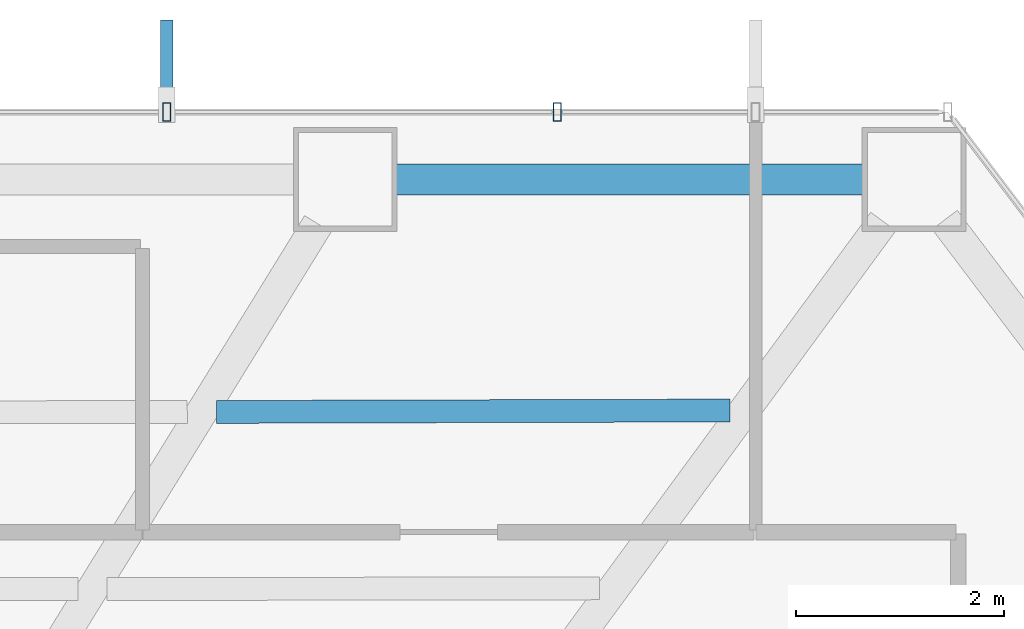
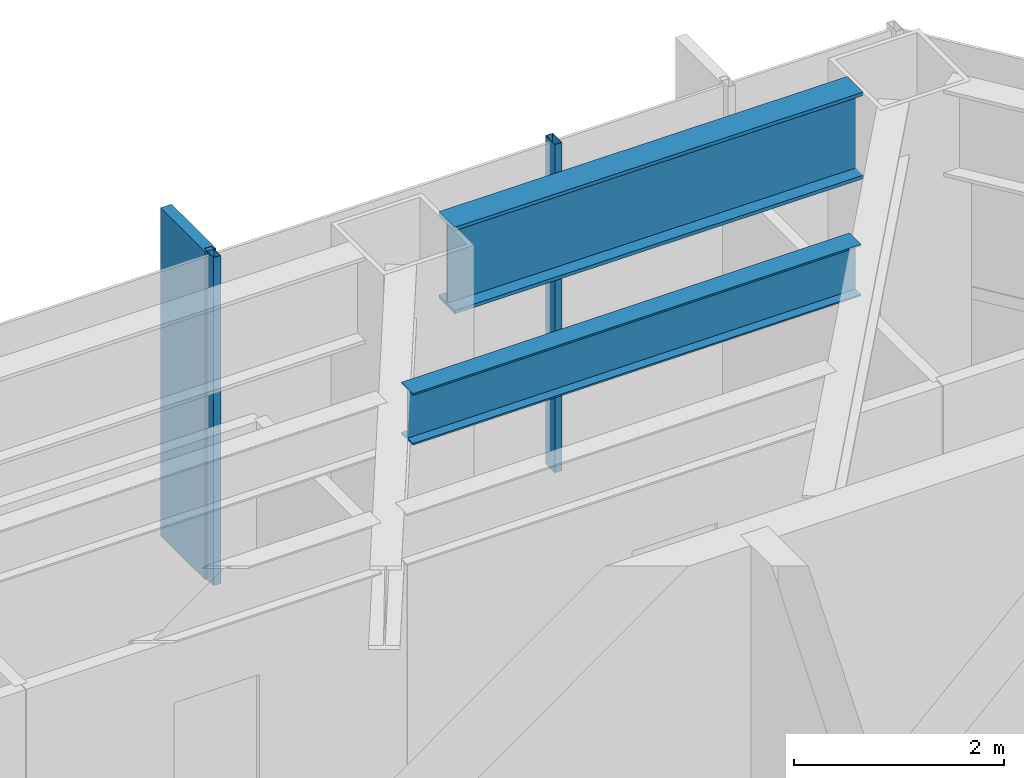
# One storey, part 15 of 25: 3 members, 2 beams, 1 element without a shape of its own.
"""IFC4 building model written with IfcOpenShell, lengths in metres."""

import ifcopenshell
import ifcopenshell.guid

model = None  # the IFC model being written
_history = None  # IfcOwnerHistory: only IFC2X3 demands one
_inside = {}  # id of a spatial element -> (the spatial element, [elements in it])
_under = {}  # id of a project, library or spatial element -> (it, [spatial elements below it])
_declared = {}  # id of a project -> (the project, [libraries it declares])
_typed = {}  # id of a type object -> (the type object, [elements of that type])
_made_of = {}  # id of a material, layer set ... -> (it, [elements and type objects made of it])


def new_model(schema):
    """Start an empty IFC model of exactly this schema.

    Asked for "IFC4X3", IfcOpenShell would pick the latest addendum, in which some entities
    have other attributes; the version numbers below select the first issue.
    IFC2X3 requires an IfcOwnerHistory on every rooted entity: one is made here for all.
    """
    global model, _history
    if schema == "IFC4X3":
        model = ifcopenshell.file(schema_version=(4, 3, 0, 0))
    else:
        model = ifcopenshell.file(schema=schema)
    _inside.clear()
    _under.clear()
    _declared.clear()
    _typed.clear()
    _made_of.clear()
    _history = None
    if model.schema == "IFC2X3":
        org = make("IfcOrganization", Name="unknown")
        user = make(
            "IfcPersonAndOrganization",
            ThePerson=make("IfcPerson", FamilyName="unknown"),
            TheOrganization=org,
        )
        app = make(
            "IfcApplication",
            ApplicationDeveloper=org,
            Version="unknown",
            ApplicationFullName="unknown",
            ApplicationIdentifier="unknown",
        )
        _history = make(
            "IfcOwnerHistory",
            OwningUser=user,
            OwningApplication=app,
            ChangeAction="ADDED",
            CreationDate=0,
        )
    return model


def make(cls, **values):
    """One entity of the class cls with the attributes given. An attribute that is None is left unset."""
    return model.create_entity(
        cls, **{name: value for name, value in values.items() if value is not None}
    )


def rooted(cls, **values):
    """An entity with a GlobalId (a new one), such as an element, a storey or a relation."""
    return make(cls, GlobalId=ifcopenshell.guid.new(), OwnerHistory=_history, **values)


def si_unit(unit_type, name, prefix=None):
    """IfcSIUnit, for example si_unit("LENGTHUNIT", "METRE", prefix="MILLI")."""
    return make("IfcSIUnit", UnitType=unit_type, Prefix=prefix, Name=name)


def assignment(units):
    """IfcUnitAssignment: the units of a project."""
    return None if units is None else make("IfcUnitAssignment", Units=units)


def point(xyz):
    """IfcCartesianPoint."""
    return None if xyz is None else make("IfcCartesianPoint", Coordinates=xyz)


def direction(xyz):
    """IfcDirection."""
    return None if xyz is None else make("IfcDirection", DirectionRatios=xyz)


def frame(location, z_axis=None, x_axis=None):
    """IfcAxis2Placement3D, a coordinate frame: its origin and axes. An axis left out is left unset."""
    return make(
        "IfcAxis2Placement3D",
        Location=point(location),
        Axis=direction(z_axis),
        RefDirection=direction(x_axis),
    )


def frame_2d(location, x_axis=None):
    """IfcAxis2Placement2D, a coordinate frame in the plane: its origin and x axis."""
    return make(
        "IfcAxis2Placement2D", Location=point(location), RefDirection=direction(x_axis)
    )


def origin():
    """The frame at (0, 0, 0) with its axes left unset."""
    return frame((0.0, 0.0, 0.0))


def origin_2d():
    """The frame at (0, 0) in the plane with its x axis left unset."""
    return frame_2d((0.0, 0.0))


def place(relative_to, where):
    """IfcLocalPlacement: puts the frame where relative to a parent placement (None: the world)."""
    return make(
        "IfcLocalPlacement", PlacementRelTo=relative_to, RelativePlacement=where
    )


def context(
    kind, dimensions, precision=None, world=None, true_north=None, identifier=None
):
    """IfcGeometricRepresentationContext, for example the 3D "Model" context."""
    return make(
        "IfcGeometricRepresentationContext",
        ContextIdentifier=identifier,
        ContextType=kind,
        CoordinateSpaceDimension=dimensions,
        Precision=precision,
        WorldCoordinateSystem=world,
        TrueNorth=true_north,
    )


def subcontext(parent, identifier, kind, view, scale=None):
    """IfcGeometricRepresentationSubContext, for example "Body" below "Model"."""
    return make(
        "IfcGeometricRepresentationSubContext",
        ContextIdentifier=identifier,
        ContextType=kind,
        ParentContext=parent,
        TargetScale=scale,
        TargetView=view,
    )


def project(units=None, contexts=None):
    """IfcProject with its units and contexts."""
    return rooted(
        "IfcProject",
        Name="project",
        RepresentationContexts=contexts,
        UnitsInContext=assignment(units),
    )


def spatial(cls, under=None, at=None, **own):
    """A site, building, storey or space (cls), placed at a placement, below another one or the project."""
    s = rooted(cls, ObjectPlacement=at, **own)
    if under is not None:
        _under.setdefault(under.id(), (under, []))[1].append(s)
    return s


def profile(cls, at=None, kind="AREA", **sizes):
    """A parametric profile (cls). Its sizes go by their IFC names, for example OverallWidth=200.0."""
    return make(cls, ProfileType=kind, Position=at, **sizes)


def rectangle(**sizes):
    """IfcRectangleProfileDef."""
    return profile("IfcRectangleProfileDef", **sizes)


def hollow_rectangle(**sizes):
    """IfcRectangleHollowProfileDef."""
    return profile("IfcRectangleHollowProfileDef", **sizes)


def i_section(**sizes):
    """IfcIShapeProfileDef."""
    return profile("IfcIShapeProfileDef", **sizes)


def extrude(swept, where, along, depth):
    """IfcExtrudedAreaSolid: the profile swept, set in the frame where, extruded along a direction by depth."""
    return make(
        "IfcExtrudedAreaSolid",
        SweptArea=swept,
        Position=where,
        ExtrudedDirection=direction(along),
        Depth=depth,
    )


def shape(context_of_items, identifier, shape_type, items):
    """IfcShapeRepresentation: the items that make up one representation, for example the "Body"."""
    return make(
        "IfcShapeRepresentation",
        ContextOfItems=context_of_items,
        RepresentationIdentifier=identifier,
        RepresentationType=shape_type,
        Items=items,
    )


def material(Name=None, Category=None):
    """IfcMaterial."""
    return make("IfcMaterial", Name=Name, Category=Category)


def layer(
    of_material, thickness, ventilated=None, Name=None, Category=None, Priority=None
):
    """IfcMaterialLayer: one layer of a wall or slab, of a material (None: an air gap)."""
    return make(
        "IfcMaterialLayer",
        Material=of_material,
        LayerThickness=thickness,
        IsVentilated=ventilated,
        Name=Name,
        Category=Category,
        Priority=Priority,
    )


def layer_set(layers, Name=None):
    """IfcMaterialLayerSet."""
    return make("IfcMaterialLayerSet", MaterialLayers=layers, LayerSetName=Name)


def material_profile(
    of_material, cross_section, Name=None, Category=None, Priority=None
):
    """IfcMaterialProfile: a cross section and its material."""
    return make(
        "IfcMaterialProfile",
        Name=Name,
        Material=of_material,
        Profile=cross_section,
        Priority=Priority,
        Category=Category,
    )


def profile_set(profiles, Name=None, composite=None):
    """IfcMaterialProfileSet."""
    return make(
        "IfcMaterialProfileSet",
        Name=Name,
        MaterialProfiles=profiles,
        CompositeProfile=composite,
    )


def made_of(thing, what):
    """Note that an element or type object is made of a material, layer set ...; save() writes the relation."""
    if what is not None:
        _made_of.setdefault(what.id(), (what, []))[1].append(thing)
    return thing


def type_object(cls, material=None, **own):
    """A type object (cls), such as IfcWallType, which elements share."""
    return made_of(rooted(cls, **own), material)


def element(
    cls,
    number,
    at=None,
    inside=None,
    cuts=None,
    type_object=None,
    material=None,
    context=None,
    identifier="Body",
    shape_type=None,
    held_by="IfcProductDefinitionShape",
    body=None,
    shapes=None,
    **own,
):
    """One element of the class cls, such as IfcWall. Its Tag is "e" and its number.

    at: its placement. inside: the storey or other place that contains it. cuts: it is an
    opening in that element (IfcRelVoidsElement). A single representation is given by context,
    identifier, shape_type and body (its items); several are given by shapes. held_by: the class
    of the entity that holds the representations. save() writes the other relations.
    """
    e = rooted(cls, Tag="e%d" % number, ObjectPlacement=at, **own)
    if body is not None:
        shapes = [shape(context, identifier, shape_type, body)]
    if shapes is not None:
        e.Representation = make(held_by, Representations=shapes)
    if inside is not None:
        _inside.setdefault(inside.id(), (inside, []))[1].append(e)
    if cuts is not None:
        rooted(
            "IfcRelVoidsElement", RelatingBuildingElement=cuts, RelatedOpeningElement=e
        )
    if type_object is not None:
        _typed.setdefault(type_object.id(), (type_object, []))[1].append(e)
    return made_of(e, material)


def aggregate(whole, parts):
    """IfcRelAggregates: a whole, such as a stair, and the parts it consists of."""
    return rooted("IfcRelAggregates", RelatingObject=whole, RelatedObjects=parts)


def save(model, path):
    """Write the relations noted so far, then the file.

    IfcRelAggregates (storeys below a building ...), IfcRelContainedInSpatialStructure (elements
    in a storey), IfcRelDefinesByType, IfcRelAssociatesMaterial and IfcRelDeclares: one each for
    every whole, place, type object, material and project.
    """
    for whole, parts in _under.values():
        aggregate(whole, parts)
    for where, things in _inside.values():
        rooted(
            "IfcRelContainedInSpatialStructure",
            RelatedElements=things,
            RelatingStructure=where,
        )
    for kind, things in _typed.values():
        rooted("IfcRelDefinesByType", RelatedObjects=things, RelatingType=kind)
    for what, things in _made_of.values():
        rooted("IfcRelAssociatesMaterial", RelatedObjects=things, RelatingMaterial=what)
    for by, libraries in _declared.values():
        rooted("IfcRelDeclares", RelatingContext=by, RelatedDefinitions=libraries)
    model.write(path)


model = new_model("IFC4")

# Units and contexts
model_context = context("Model", 3, precision=1e-05, world=origin(), true_north=direction((0.0, 1.0)))
body_context = subcontext(model_context, "Body", "Model", "MODEL_VIEW")
ifc_project = project(units=[si_unit("LENGTHUNIT", "METRE"), si_unit("AREAUNIT", "SQUARE_METRE"), si_unit("VOLUMEUNIT", "CUBIC_METRE"), si_unit("PLANEANGLEUNIT", "RADIAN"), si_unit("MASSUNIT", "GRAM", prefix="KILO")], contexts=[model_context])

# Site, building, storey
site_placement = place(None, origin())
site = spatial("IfcSite", under=ifc_project, at=site_placement, CompositionType="ELEMENT")
building_placement = place(site_placement, origin())
building = spatial("IfcBuilding", under=site, at=building_placement, Name="Zarrinselat Tower", CompositionType="ELEMENT")
storey_placement = place(building_placement, frame((0.0, 0.0, 39.780029296875)))
storey = spatial("IfcBuildingStorey", under=building, at=storey_placement, Name="L09", CompositionType="ELEMENT", Elevation=39.780029296875)

# Beams
ifc_material_1 = material(Name="Steel S460M", Category="steel")
ifc_material_profile_1 = material_profile(ifc_material_1, i_section(OverallWidth=0.302001953125, OverallDepth=1.008056640625, WebThickness=0.02099609375, FlangeThickness=0.0400390625, at=origin_2d()), Name="HEM 1000")
ifc_profile_set_1 = profile_set([ifc_material_profile_1], Name="Steel S460M")
beam_type_1 = type_object("IfcBeamType", Name="BM-HEM1000", PredefinedType="BEAM", material=ifc_profile_set_1)
beam_1_placement = place(storey_placement, frame((45.038330078125, 49.394287109375, 3.31591796875), z_axis=(1.0, 0.0, 0.0), x_axis=(0.0, 1.0, 0.0)))
element("IfcBeam", 1, at=beam_1_placement, inside=storey, type_object=beam_type_1, Name="L09 Perimeter Spandrel Girder SP01", PredefinedType="BEAM", context=body_context, shape_type="SweptSolid", body=[
    extrude(i_section(OverallWidth=0.302001953125, OverallDepth=1.008056640625, WebThickness=0.02099609375, FlangeThickness=0.0400390625, at=origin_2d()), origin(), (0.0, 0.0, 1.0), 4.5),
])
ifc_material_2 = material(Name="Steel S355J2", Category="steel")
ifc_material_profile_2 = material_profile(ifc_material_2, i_section(OverallWidth=0.219970703125, OverallDepth=0.60009765625, WebThickness=0.011962890625, FlangeThickness=0.01904296875, at=origin_2d()), Name="IPE 600")
ifc_profile_set_2 = profile_set([ifc_material_profile_2], Name="Steel S355J2")
beam_type_2 = type_object("IfcBeamType", Name="BM-IPE600", PredefinedType="JOIST", material=ifc_profile_set_2)
beam_2_placement = place(storey_placement, frame((43.30908203125, 47.156494140625, 3.52001953125), z_axis=(0.999996039215, 0.002814525688, 0.0), x_axis=(-0.002814525688, 0.999996039215, 0.0)))
element("IfcBeam", 2, at=beam_2_placement, inside=storey, type_object=beam_type_2, Name="L09 Composite Floor Joist 7-1", PredefinedType="JOIST", context=body_context, shape_type="SweptSolid", body=[
    extrude(i_section(OverallWidth=0.219970703125, OverallDepth=0.60009765625, WebThickness=0.011962890625, FlangeThickness=0.01904296875, at=origin_2d()), origin(), (0.0, 0.0, 1.0), 4.9443359375),
])

# Curtain wall, members
ifc_material_3 = material(Name="Extruded Aluminium Alloy EN AW-6063 T6", Category="aluminium")
ifc_layer = layer(ifc_material_3, 0.18505859375)
ifc_layer_set = layer_set([ifc_layer], Name="Extruded Aluminium Alloy EN AW-6063 T6")
curtain_wall_type = type_object("IfcCurtainWallType", Name="CWS-OFF", PredefinedType="NOTDEFINED", material=ifc_layer_set)
curtain_wall_placement = place(storey_placement, origin())
curtain_wall = element("IfcCurtainWall", 3, at=curtain_wall_placement, inside=storey, type_object=curtain_wall_type, Name="L09 Unitised Curtain Wall CW-L09-E01", PredefinedType="NOTDEFINED")
ifc_material_4 = material(Name="Extruded Aluminium Alloy EN AW-6063 T6", Category="aluminium")
ifc_material_profile_3 = material_profile(ifc_material_4, hollow_rectangle(XDim=0.080078125, YDim=0.179931640625, WallThickness=0.0048828125, at=origin_2d()), Name="RHS 180x80x5")
ifc_profile_set_3 = profile_set([ifc_material_profile_3], Name="Extruded Aluminium Alloy EN AW-6063 T6")
member_type_1 = type_object("IfcMemberType", Name="MEM-CW-MUL", PredefinedType="MULLION", material=ifc_profile_set_3)
member_1_placement = place(storey_placement, frame((46.591064453125, 50.04443359375, 0.0), z_axis=(0.0, 0.0, 1.0), x_axis=(-1.0, 0.0, 0.0)))
member_1 = element("IfcMember", 4, at=member_1_placement, type_object=member_type_1, Name="CW-L09-E01 Mullion 2", PredefinedType="MULLION", context=body_context, shape_type="SweptSolid", body=[
    extrude(hollow_rectangle(XDim=0.080078125, YDim=0.179931640625, WallThickness=0.0048828125, at=origin_2d()), origin(), (0.0, 0.0, 1.0), 3.820068359375),
])
member_2_placement = place(storey_placement, frame((42.83251953125, 50.04443359375, 0.0), z_axis=(0.0, 0.0, 1.0), x_axis=(-1.0, 0.0, 0.0)))
member_2 = element("IfcMember", 5, at=member_2_placement, type_object=member_type_1, Name="CW-L09-E01 Mullion 3", PredefinedType="MULLION", context=body_context, shape_type="SweptSolid", body=[
    extrude(hollow_rectangle(XDim=0.080078125, YDim=0.179931640625, WallThickness=0.0048828125, at=origin_2d()), origin(), (0.0, 0.0, 1.0), 3.820068359375),
])
ifc_material_5 = material(Name="Honed Cream Travertine Stone", Category="masonry")
ifc_material_profile_4 = material_profile(ifc_material_5, rectangle(XDim=0.1201171875, YDim=0.85009765625, at=origin_2d()), Name="FIN 850x120")
ifc_profile_set_4 = profile_set([ifc_material_profile_4], Name="Honed Cream Travertine Stone")
member_type_2 = type_object("IfcMemberType", Name="MEM-STONE-FIN", PredefinedType="USERDEFINED", material=ifc_profile_set_4)
member_3_placement = place(storey_placement, frame((42.83251953125, 50.50439453125, 0.0), z_axis=(0.0, 0.0, 1.0), x_axis=(1.0, 0.0, 0.0)))
member_3 = element("IfcMember", 6, at=member_3_placement, type_object=member_type_2, Name="L09 Stone Shading Fin CW-L09-E01-03", ObjectType="FIN", PredefinedType="USERDEFINED", context=body_context, shape_type="SweptSolid", body=[
    extrude(rectangle(XDim=0.1201171875, YDim=0.85009765625, at=origin_2d()), origin(), (0.0, 0.0, 1.0), 3.820068359375),
])
aggregate(curtain_wall, [member_1, member_2, member_3])

save(model, "model.ifc")
